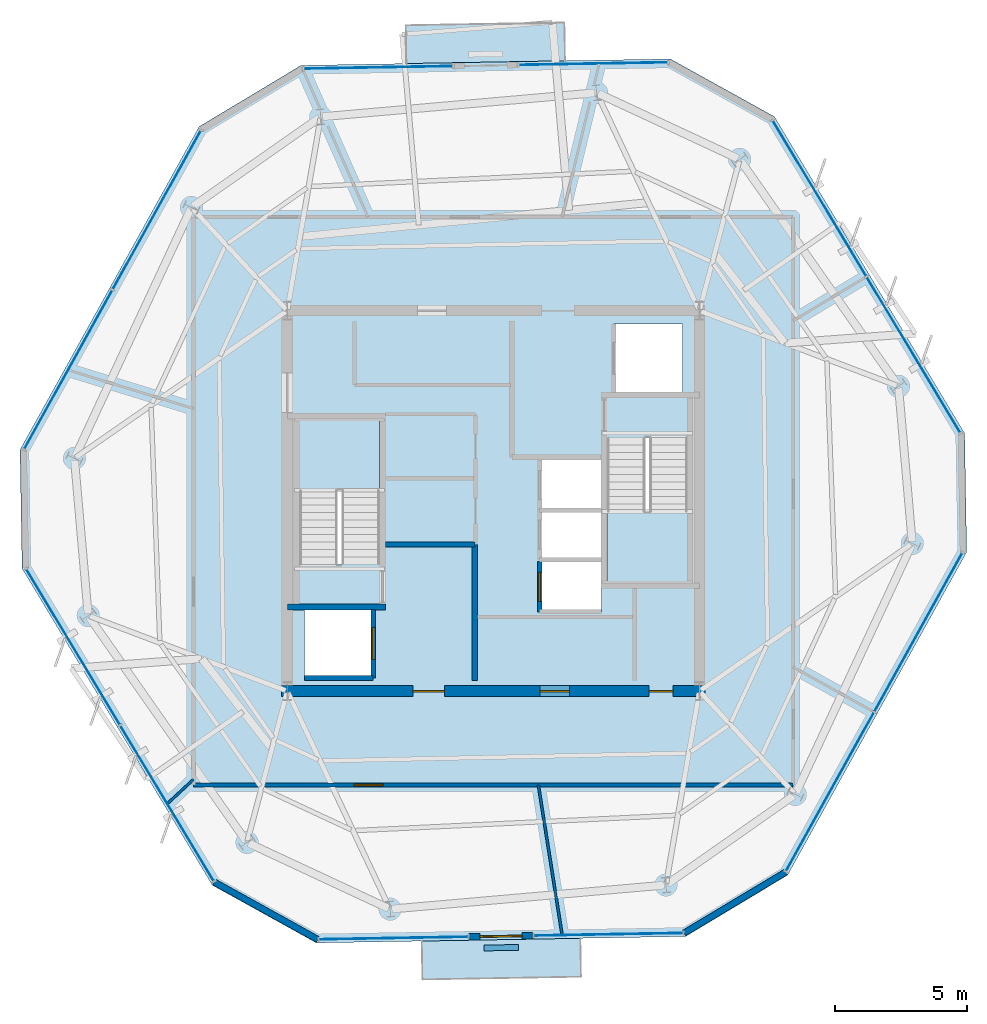
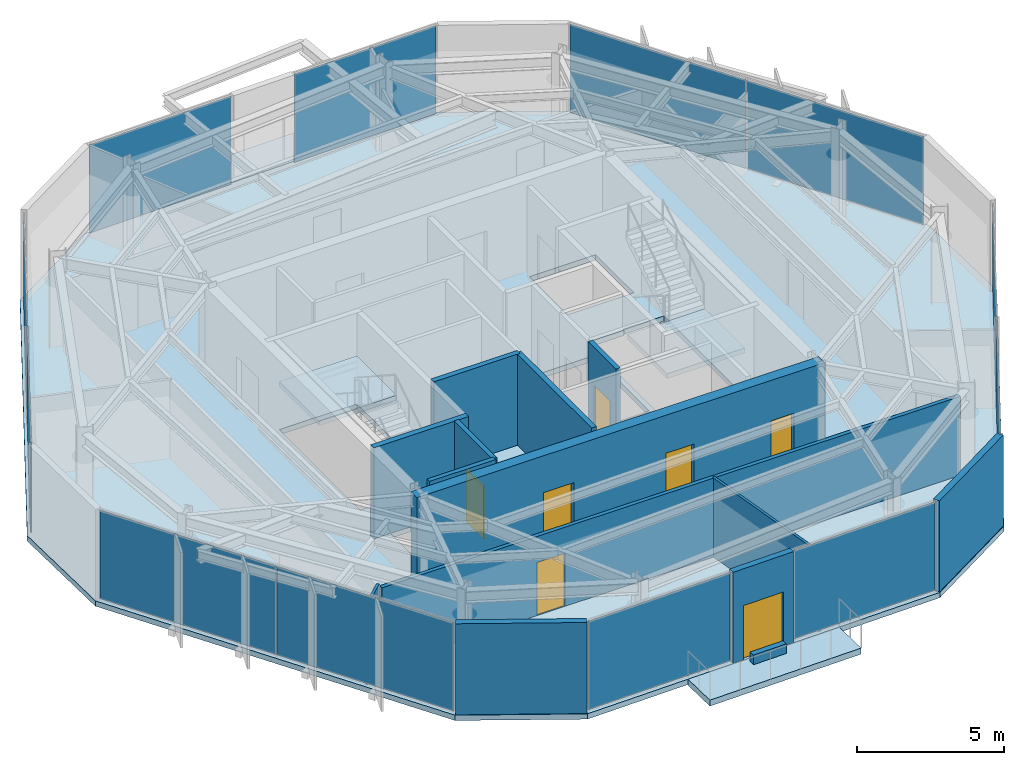
# One storey, part 6 of 12: 14 walls, 12 plates, 7 doors, 5 slabs, 7 openings, 10 elements without a shape of their own.
"""IFC4 building model written with IfcOpenShell, lengths in metres."""

from ifc_helpers import new_model, si_unit, direction, frame, frame_2d, origin, origin_2d, place, context, subcontext, project, spatial, polyline, rectangle, outline, extrude, material, layer, layer_set, type_object, element, fill, aggregate, save


model = new_model("IFC4")

# Units and contexts
model_context = context("Model", 3, precision=1e-05, world=origin(), true_north=direction((0.0, 1.0)))
body_context = subcontext(model_context, "Body", "Model", "MODEL_VIEW")
ifc_project = project(units=[si_unit("LENGTHUNIT", "METRE"), si_unit("AREAUNIT", "SQUARE_METRE"), si_unit("VOLUMEUNIT", "CUBIC_METRE"), si_unit("PLANEANGLEUNIT", "RADIAN"), si_unit("MASSUNIT", "GRAM", prefix="KILO")], contexts=[model_context])

# Site, building, storey
site_placement = place(None, origin())
site = spatial("IfcSite", under=ifc_project, at=site_placement, CompositionType="ELEMENT")
building_placement = place(site_placement, origin())
building = spatial("IfcBuilding", under=site, at=building_placement, Name="Kranzbogen Civic Tower", CompositionType="ELEMENT")
storey_placement = place(building_placement, frame((0.0, 0.0, 270.199951171875)))
storey = spatial("IfcBuildingStorey", under=building, at=storey_placement, Name="L65", CompositionType="ELEMENT", Elevation=270.199951171875)

# Slab
ifc_material_1 = material(Name="Concrete C40/50", Category="concrete")
ifc_layer_1 = layer(ifc_material_1, 0.219970703125, Name="Concrete C40/50")
ifc_layer_set_1 = layer_set([ifc_layer_1], Name="Concrete C40/50")
slab_type_1 = type_object("IfcSlabType", Name="Composite Upper Tower Floor Slab 220 mm", PredefinedType="FLOOR", material=ifc_layer_set_1)
slab_1_placement = place(storey_placement, frame((0.0, 0.0, -0.219970703125)))
element("IfcSlab", 1, at=slab_1_placement, inside=storey, type_object=slab_type_1, Name="L65 tower floor slab", PredefinedType="FLOOR", context=body_context, shape_type="SweptSolid", body=[
    extrude(outline(polyline([(31.699951171875, 41.72802734375), (17.719970703125, 41.48388671875), (13.863037109375, 39.166015625), (7.0849609375, 26.93798828125), (7.1630859375, 22.43798828125), (14.364013671875, 10.4541015625), (18.300048828125, 8.27197265625), (32.280029296875, 8.51611328125), (36.136962890625, 10.833984375), (42.9150390625, 23.06201171875), (42.8369140625, 27.56201171875), (35.635986328125, 39.5458984375), (31.699951171875, 41.72802734375)]), holes=[polyline([(17.85009765625, 20.89990234375), (20.449951171875, 20.89990234375), (20.449951171875, 18.300048828125), (17.85009765625, 18.300048828125), (17.85009765625, 20.89990234375)]), polyline([(29.10009765625, 22.699951171875), (29.10009765625, 20.800048828125), (26.75, 20.800048828125), (26.75, 22.699951171875), (29.10009765625, 22.699951171875)]), polyline([(29.10009765625, 24.64990234375), (29.10009765625, 22.77490234375), (26.75, 22.77490234375), (26.75, 24.64990234375), (26.75, 24.675048828125), (26.75, 26.550048828125), (29.10009765625, 26.550048828125), (29.10009765625, 24.675048828125), (29.10009765625, 24.64990234375)]), polyline([(29.300048828125, 27.340087890625), (30.75, 27.340087890625), (30.75, 27.39990234375), (32.35009765625, 27.39990234375), (32.35009765625, 21.89990234375), (29.300048828125, 21.89990234375), (29.300048828125, 27.340087890625)]), polyline([(20.699951171875, 22.659912109375), (19.25, 22.659912109375), (19.25, 22.60009765625), (17.64990234375, 22.60009765625), (17.64990234375, 28.10009765625), (20.699951171875, 28.10009765625), (20.699951171875, 22.659912109375)]), polyline([(32.14990234375, 31.699951171875), (32.14990234375, 29.10009765625), (29.550048828125, 29.10009765625), (29.550048828125, 31.699951171875), (32.14990234375, 31.699951171875)])]), origin(), (0.0, 0.0, 1.0), 0.219970703125),
])

# Curtain wall, plate
ifc_material_2 = material(Name="Pale Anodised Aluminium", Category="aluminium")
ifc_layer_2 = layer(ifc_material_2, 0.219970703125, Name="Pale Anodised Aluminium")
ifc_layer_set_2 = layer_set([ifc_layer_2], Name="Pale Anodised Aluminium")
curtain_wall_type = type_object("IfcCurtainWallType", Name="Zone 4 Stick Curtain Wall System CW-05", PredefinedType="USERDEFINED", material=ifc_layer_set_2)
curtain_wall_1_placement = place(storey_placement, origin())
curtain_wall_1 = element("IfcCurtainWall", 2, at=curtain_wall_1_placement, inside=storey, type_object=curtain_wall_type, Name="L65 curtain wall CW-L65-F1-S1", ObjectType="STICK CURTAIN WALL", PredefinedType="USERDEFINED")
ifc_material_3 = material(Name="Low-E Triple Glazing Glass", Category="glass")
ifc_layer_3 = layer(ifc_material_3, 0.028076171875, Name="Low-E Triple Glazing Glass")
ifc_layer_set_3 = layer_set([ifc_layer_3], Name="Low-E Triple Glazing Glass")
plate_type = type_object("IfcPlateType", Name="Insulated Low-E Glazing Panel 28 mm", PredefinedType="CURTAIN_PANEL", material=ifc_layer_set_3)
plate_1_placement = place(storey_placement, frame((28.780029296875, 41.548095703125, 0.06005859375), z_axis=(0.0, 0.0, 1.0), x_axis=(-0.999848066783, -0.017431102978, 0.0)))
plate_1 = element("IfcPlate", 3, at=plate_1_placement, type_object=plate_type, Name="CW-05 panel 1.1", PredefinedType="CURTAIN_PANEL", context=body_context, shape_type="SweptSolid", body=[
    extrude(rectangle(XDim=5.616943359375, YDim=0.028076171875, at=origin_2d()), origin(), (0.0, 0.0, 1.0), 3.659912109375),
])
aggregate(curtain_wall_1, [plate_1])

curtain_wall_2_placement = place(storey_placement, origin())
curtain_wall_2 = element("IfcCurtainWall", 4, at=curtain_wall_2_placement, inside=storey, type_object=curtain_wall_type, Name="L65 curtain wall CW-L65-F1-S2", ObjectType="STICK CURTAIN WALL", PredefinedType="USERDEFINED")
plate_2_placement = place(storey_placement, frame((20.64453125, 41.406005859375, 0.06005859375), z_axis=(0.0, 0.0, 1.0), x_axis=(-0.999848013805, -0.017434141484, 0.0)))
plate_2 = element("IfcPlate", 5, at=plate_2_placement, type_object=plate_type, Name="CW-05 panel 1.1", PredefinedType="CURTAIN_PANEL", context=body_context, shape_type="SweptSolid", body=[
    extrude(rectangle(XDim=5.615966796875, YDim=0.028076171875, at=origin_2d()), origin(), (0.0, 0.0, 1.0), 3.659912109375),
])
aggregate(curtain_wall_2, [plate_2])

# Curtain wall, plates
curtain_wall_3_placement = place(storey_placement, origin())
curtain_wall_3 = element("IfcCurtainWall", 6, at=curtain_wall_3_placement, inside=storey, type_object=curtain_wall_type, Name="L65 curtain wall CW-L65-F2", ObjectType="STICK CURTAIN WALL", PredefinedType="USERDEFINED")
plate_3_placement = place(storey_placement, frame((12.26123046875, 36.009521484375, 0.06005859375), z_axis=(0.0, 0.0, 1.0), x_axis=(-0.484840955853, -0.874602336795, 0.0)))
plate_3 = element("IfcPlate", 7, at=plate_3_placement, type_object=plate_type, Name="CW-05 panel 1.1", PredefinedType="CURTAIN_PANEL", context=body_context, shape_type="SweptSolid", body=[
    extrude(rectangle(XDim=6.84619140625, YDim=0.028076171875, at=origin_2d()), origin(), (0.0, 0.0, 1.0), 3.659912109375),
])
plate_4_placement = place(storey_placement, frame((8.912841796875, 29.969482421875, 0.06005859375), z_axis=(0.0, 0.0, 1.0), x_axis=(-0.484840955853, -0.874602336795, 0.0)))
plate_4 = element("IfcPlate", 8, at=plate_4_placement, type_object=plate_type, Name="CW-05 panel 2.1", PredefinedType="CURTAIN_PANEL", context=body_context, shape_type="SweptSolid", body=[
    extrude(rectangle(XDim=6.84619140625, YDim=0.028076171875, at=origin_2d()), origin(), (0.0, 0.0, 1.0), 3.659912109375),
])
aggregate(curtain_wall_3, [plate_3, plate_4])

curtain_wall_4_placement = place(storey_placement, origin())
curtain_wall_4 = element("IfcCurtainWall", 9, at=curtain_wall_4_placement, inside=storey, type_object=curtain_wall_type, Name="L65 curtain wall CW-L65-F3", ObjectType="STICK CURTAIN WALL", PredefinedType="USERDEFINED")
plate_5_placement = place(storey_placement, frame((9.095947265625, 19.472412109375, 0.06005859375), z_axis=(0.0, 0.0, 1.0), x_axis=(0.515046886883, -0.857162005873, 0.0)))
plate_5 = element("IfcPlate", 10, at=plate_5_placement, type_object=plate_type, Name="CW-05 panel 1.1", PredefinedType="CURTAIN_PANEL", context=body_context, shape_type="SweptSolid", body=[
    extrude(rectangle(XDim=6.84619140625, YDim=0.028076171875, at=origin_2d()), origin(), (0.0, 0.0, 1.0), 3.659912109375),
])
plate_6_placement = place(storey_placement, frame((12.653076171875, 13.552490234375, 0.06005859375), z_axis=(0.0, 0.0, 1.0), x_axis=(0.515046886883, -0.857162005873, 0.0)))
plate_6 = element("IfcPlate", 11, at=plate_6_placement, type_object=plate_type, Name="CW-05 panel 2.1", PredefinedType="CURTAIN_PANEL", context=body_context, shape_type="SweptSolid", body=[
    extrude(rectangle(XDim=6.84619140625, YDim=0.028076171875, at=origin_2d()), origin(), (0.0, 0.0, 1.0), 3.659912109375),
])
aggregate(curtain_wall_4, [plate_5, plate_6])

# Curtain wall, plate
curtain_wall_5_placement = place(storey_placement, origin())
curtain_wall_5 = element("IfcCurtainWall", 12, at=curtain_wall_5_placement, inside=storey, type_object=curtain_wall_type, Name="L65 curtain wall CW-L65-F4-S1", ObjectType="STICK CURTAIN WALL", PredefinedType="USERDEFINED")
plate_7_placement = place(storey_placement, frame((21.219970703125, 8.451904296875, 0.06005859375), z_axis=(0.0, 0.0, 1.0), x_axis=(0.999848066783, 0.017431102978, 0.0)))
plate_7 = element("IfcPlate", 13, at=plate_7_placement, type_object=plate_type, Name="CW-05 panel 1.1", PredefinedType="CURTAIN_PANEL", context=body_context, shape_type="SweptSolid", body=[
    extrude(rectangle(XDim=5.616943359375, YDim=0.028076171875, at=origin_2d()), origin(), (0.0, 0.0, 1.0), 3.659912109375),
])
aggregate(curtain_wall_5, [plate_7])

curtain_wall_6_placement = place(storey_placement, origin())
curtain_wall_6 = element("IfcCurtainWall", 14, at=curtain_wall_6_placement, inside=storey, type_object=curtain_wall_type, Name="L65 curtain wall CW-L65-F4-S2", ObjectType="STICK CURTAIN WALL", PredefinedType="USERDEFINED")
plate_8_placement = place(storey_placement, frame((29.35546875, 8.593994140625, 0.06005859375), z_axis=(0.0, 0.0, 1.0), x_axis=(0.999848013805, 0.017434141484, 0.0)))
plate_8 = element("IfcPlate", 15, at=plate_8_placement, type_object=plate_type, Name="CW-05 panel 1.1", PredefinedType="CURTAIN_PANEL", context=body_context, shape_type="SweptSolid", body=[
    extrude(rectangle(XDim=5.615966796875, YDim=0.028076171875, at=origin_2d()), origin(), (0.0, 0.0, 1.0), 3.659912109375),
])
aggregate(curtain_wall_6, [plate_8])

# Curtain wall, plates
curtain_wall_7_placement = place(storey_placement, origin())
curtain_wall_7 = element("IfcCurtainWall", 16, at=curtain_wall_7_placement, inside=storey, type_object=curtain_wall_type, Name="L65 curtain wall CW-L65-F5", ObjectType="STICK CURTAIN WALL", PredefinedType="USERDEFINED")
plate_9_placement = place(storey_placement, frame((37.73876953125, 13.990478515625, 0.06005859375), z_axis=(0.0, 0.0, 1.0), x_axis=(0.484840955853, 0.874602336795, 0.0)))
plate_9 = element("IfcPlate", 17, at=plate_9_placement, type_object=plate_type, Name="CW-05 panel 1.1", PredefinedType="CURTAIN_PANEL", context=body_context, shape_type="SweptSolid", body=[
    extrude(rectangle(XDim=6.84619140625, YDim=0.028076171875, at=origin_2d()), origin(), (0.0, 0.0, 1.0), 3.659912109375),
])
plate_10_placement = place(storey_placement, frame((41.087158203125, 20.030517578125, 0.06005859375), z_axis=(0.0, 0.0, 1.0), x_axis=(0.484840955853, 0.874602336795, 0.0)))
plate_10 = element("IfcPlate", 18, at=plate_10_placement, type_object=plate_type, Name="CW-05 panel 2.1", PredefinedType="CURTAIN_PANEL", context=body_context, shape_type="SweptSolid", body=[
    extrude(rectangle(XDim=6.84619140625, YDim=0.028076171875, at=origin_2d()), origin(), (0.0, 0.0, 1.0), 3.659912109375),
])
aggregate(curtain_wall_7, [plate_9, plate_10])

curtain_wall_8_placement = place(storey_placement, origin())
curtain_wall_8 = element("IfcCurtainWall", 19, at=curtain_wall_8_placement, inside=storey, type_object=curtain_wall_type, Name="L65 curtain wall CW-L65-F6", ObjectType="STICK CURTAIN WALL", PredefinedType="USERDEFINED")
plate_11_placement = place(storey_placement, frame((40.904052734375, 30.527587890625, 0.06005859375), z_axis=(0.0, 0.0, 1.0), x_axis=(-0.515046886883, 0.857162005873, 0.0)))
plate_11 = element("IfcPlate", 20, at=plate_11_placement, type_object=plate_type, Name="CW-05 panel 1.1", PredefinedType="CURTAIN_PANEL", context=body_context, shape_type="SweptSolid", body=[
    extrude(rectangle(XDim=6.84619140625, YDim=0.028076171875, at=origin_2d()), origin(), (0.0, 0.0, 1.0), 3.659912109375),
])
plate_12_placement = place(storey_placement, frame((37.346923828125, 36.447509765625, 0.06005859375), z_axis=(0.0, 0.0, 1.0), x_axis=(-0.515046886883, 0.857162005873, 0.0)))
plate_12 = element("IfcPlate", 21, at=plate_12_placement, type_object=plate_type, Name="CW-05 panel 2.1", PredefinedType="CURTAIN_PANEL", context=body_context, shape_type="SweptSolid", body=[
    extrude(rectangle(XDim=6.84619140625, YDim=0.028076171875, at=origin_2d()), origin(), (0.0, 0.0, 1.0), 3.659912109375),
])
aggregate(curtain_wall_8, [plate_11, plate_12])

# Stair, slab
ifc_material_4 = material(Name="Precast concrete C40/50", Category="concrete")
stair_type_1 = type_object("IfcStairType", Name="Tower Core Pressurized Dogleg Stair 1450", PredefinedType="HALF_TURN_STAIR", material=ifc_material_4)
stair_1_placement = place(storey_placement, origin())
stair_1 = element("IfcStair", 22, at=stair_1_placement, inside=storey, type_object=stair_type_1, Name="L65 Tower Core Pressurized Stair 1", PredefinedType="HALF_TURN_STAIR")
ifc_layer_4 = layer(ifc_material_4, 0.199951171875, Name="Precast concrete C40/50")
ifc_layer_set_4 = layer_set([ifc_layer_4], Name="Precast concrete C40/50")
slab_type_2 = type_object("IfcSlabType", Name="Precast Concrete Stair Landing Slab 200 mm", PredefinedType="LANDING", material=ifc_layer_set_4)
slab_2_placement = place(storey_placement, frame((0.0, 0.0, 1.800048828125)))
slab_2 = element("IfcSlab", 23, at=slab_2_placement, type_object=slab_type_2, Name="ST-T1 landing 1", PredefinedType="LANDING", context=body_context, shape_type="SweptSolid", body=[
    extrude(outline(polyline([(20.699951171875, 25.39990234375), (20.699951171875, 28.10009765625), (17.64990234375, 28.10009765625), (17.64990234375, 25.39990234375), (20.699951171875, 25.39990234375)])), origin(), (0.0, 0.0, 1.0), 0.199951171875),
])
aggregate(stair_1, [slab_2])

stair_type_2 = type_object("IfcStairType", Name="Tower Core Secondary Dogleg Stair 1450", PredefinedType="HALF_TURN_STAIR", material=ifc_material_4)
stair_2_placement = place(storey_placement, origin())
stair_2 = element("IfcStair", 24, at=stair_2_placement, inside=storey, type_object=stair_type_2, Name="L65 Tower Core Pressurized Stair 2", PredefinedType="HALF_TURN_STAIR")
slab_3_placement = place(storey_placement, frame((0.0, 0.0, 1.800048828125)))
slab_3 = element("IfcSlab", 25, at=slab_3_placement, type_object=slab_type_2, Name="ST-T2 landing 1", PredefinedType="LANDING", context=body_context, shape_type="SweptSolid", body=[
    extrude(outline(polyline([(29.300048828125, 24.60009765625), (29.300048828125, 21.89990234375), (32.35009765625, 21.89990234375), (32.35009765625, 24.60009765625), (29.300048828125, 24.60009765625)])), origin(), (0.0, 0.0, 1.0), 0.199951171875),
])
aggregate(stair_2, [slab_3])

# Slabs
ifc_layer_5 = layer(ifc_material_1, 0.25, Name="Concrete C40/50")
ifc_layer_set_5 = layer_set([ifc_layer_5], Name="Concrete C40/50")
slab_type_3 = type_object("IfcSlabType", Name="Tree Balcony Cantilevered Slab 250 mm", PredefinedType="FLOOR", material=ifc_layer_set_5)
slab_4_placement = place(storey_placement, frame((0.0, 0.0, -0.25)))
element("IfcSlab", 26, at=slab_4_placement, inside=storey, type_object=slab_type_3, Name="L65 cantilevered tree balcony L65-TB1", PredefinedType="FLOOR", context=body_context, shape_type="SweptSolid", body=[
    extrude(outline(polyline([(22.2900390625, 8.342041015625), (28.2890625, 8.446044921875), (28.31396484375, 6.99609375), (22.31494140625, 6.89208984375), (22.2900390625, 8.342041015625)])), origin(), (0.0, 0.0, 1.0), 0.25),
])
slab_5_placement = place(storey_placement, frame((0.0, 0.0, -0.25)))
element("IfcSlab", 27, at=slab_5_placement, inside=storey, type_object=slab_type_3, Name="L65 cantilevered tree balcony L65-TB2", PredefinedType="FLOOR", context=body_context, shape_type="SweptSolid", body=[
    extrude(outline(polyline([(27.7099609375, 41.657958984375), (21.7109375, 41.553955078125), (21.68603515625, 43.00390625), (27.68505859375, 43.10791015625), (27.7099609375, 41.657958984375)])), origin(), (0.0, 0.0, 1.0), 0.25),
])

# Wall, opening, door
ifc_material_5 = material(Name="Double-Stud Acoustic Gypsum Partition")
ifc_layer_6 = layer(ifc_material_5, 0.14990234375, Name="Double-Stud Acoustic Gypsum Partition")
ifc_layer_set_6 = layer_set([ifc_layer_6], Name="Double-Stud Acoustic Gypsum Partition")
wall_type_1 = type_object("IfcWallType", Name="Acoustic Corridor and Clinical Partition 150 mm", PredefinedType="PARTITIONING", material=ifc_layer_set_6)
wall_1_placement = place(storey_placement, frame((36.35009765625, 14.25, 0.0), z_axis=(0.0, 0.0, 1.0), x_axis=(-1.0, 0.0, 0.0)))
wall_1 = element("IfcWall", 28, at=wall_1_placement, inside=storey, type_object=wall_type_1, Name="L65 corridor partition 03", PredefinedType="PARTITIONING", context=body_context, shape_type="SweptSolid", body=[
    extrude(rectangle(XDim=22.7001953125, YDim=0.14990234375, at=frame_2d((11.35009765625, 0.0))), origin(), (0.0, 0.0, 1.0), 3.280029296875),
])
opening_1_placement = place(wall_1_placement, frame((15.52490234375, 0.0, 0.0)))
opening_1 = element("IfcOpeningElement", 29, at=opening_1_placement, cuts=wall_1, Name="Opening D-COR60", PredefinedType="OPENING", context=body_context, shape_type="SweptSolid", body=[
    extrude(rectangle(XDim=1.10009765625, YDim=2.199951171875, at=frame_2d((0.550048828125, 1.10009765625))), frame((0.0, 0.0849609375, 0.0), z_axis=(0.0, -1.0, 0.0), x_axis=(1.0, 0.0, 0.0)), (0.0, 0.0, 1.0), 0.169921875),
])
ifc_material_6 = material(Name="Oak Timber and Fire Core", Category="wood")
door_type_1 = type_object("IfcDoorType", Name="Corridor Acoustic Fire Door 1100x2200", OperationType="NOTDEFINED", PredefinedType="DOOR", material=ifc_material_6)
door_1_placement = place(opening_1_placement, origin())
door_1 = element("IfcDoor", 30, at=door_1_placement, inside=storey, type_object=door_type_1, Name="L65 Central Mail Post Room door", OperationType="SINGLE_SWING_LEFT", OverallHeight=2.199951171875, OverallWidth=1.10009765625, PredefinedType="DOOR", context=body_context, shape_type="SweptSolid", body=[
    extrude(rectangle(XDim=1.10009765625, YDim=2.199951171875, at=frame_2d((0.550048828125, 1.10009765625))), frame((0.0, 0.02490234375, 0.0), z_axis=(0.0, -1.0, 0.0), x_axis=(1.0, 0.0, 0.0)), (0.0, 0.0, 1.0), 0.050048828125),
])
fill(opening_1, door_1)

# Wall
ifc_material_7 = material(Name="Architectural Precast Terracotta Concrete C40/50", Category="masonry")
ifc_layer_7 = layer(ifc_material_7, 0.219970703125, Name="Architectural Precast Terracotta Concrete C40/50")
ifc_layer_set_7 = layer_set([ifc_layer_7], Name="Architectural Precast Terracotta Concrete C40/50")
wall_type_2 = type_object("IfcWallType", Name="Architectural Tree Planter Kerb Wall 220 mm", PredefinedType="USERDEFINED", material=ifc_layer_set_7)
wall_2_placement = place(storey_placement, frame((24.64501953125, 8.0791015625, 0.0), z_axis=(0.0, 0.0, 1.0), x_axis=(0.999857201789, 0.01689899496, 0.0)))
element("IfcWall", 31, at=wall_2_placement, inside=storey, type_object=wall_type_2, Name="L65 landscaped tree balcony planter L65-TB1", ObjectType="PLANTER_WALL", PredefinedType="USERDEFINED", context=body_context, shape_type="SweptSolid", body=[
    extrude(rectangle(XDim=1.30029296875, YDim=0.219970703125, at=frame_2d((0.650146484375, 0.0))), origin(), (0.0, 0.0, 1.0), 0.400146484375),
])

# Wall, openings, doors
ifc_material_8 = material(Name="Concrete C45/55", Category="concrete")
ifc_layer_8 = layer(ifc_material_8, 0.419921875, Name="Concrete C45/55")
ifc_layer_set_8 = layer_set([ifc_layer_8], Name="Concrete C45/55")
wall_type_3 = type_object("IfcWallType", Name="Central Core Shear Wall 420 mm", PredefinedType="SHEAR", material=ifc_layer_set_8)
wall_3_placement = place(storey_placement, frame((16.989990234375, 17.800048828125, 0.0), z_axis=(0.0, 0.0, 1.0), x_axis=(1.0, 0.0, 0.0)))
wall_3 = element("IfcWall", 32, at=wall_3_placement, inside=storey, type_object=wall_type_3, Name="L65 central core South shear wall", PredefinedType="SHEAR", context=body_context, shape_type="SweptSolid", body=[
    extrude(rectangle(XDim=16.02001953125, YDim=0.419921875, at=frame_2d((8.010009765625, 0.0))), origin(), (0.0, 0.0, 1.0), 3.780029296875),
])
opening_2_placement = place(wall_3_placement, frame((4.9599609375, 0.0, 0.0)))
opening_2 = element("IfcOpeningElement", 33, at=opening_2_placement, cuts=wall_3, Name="Opening D-EX120", PredefinedType="OPENING", context=body_context, shape_type="SweptSolid", body=[
    extrude(rectangle(XDim=1.199951171875, YDim=2.25, at=frame_2d((0.60009765625, 1.125))), frame((0.0, 0.219970703125, 0.0), z_axis=(0.0, -1.0, 0.0), x_axis=(1.0, 0.0, 0.0)), (0.0, 0.0, 1.0), 0.43994140625),
])
opening_3_placement = place(wall_3_placement, frame((13.909912109375, 0.0, 0.0)))
opening_3 = element("IfcOpeningElement", 34, at=opening_3_placement, cuts=wall_3, Name="Opening D-WC90", PredefinedType="OPENING", context=body_context, shape_type="SweptSolid", body=[
    extrude(rectangle(XDim=0.89990234375, YDim=2.10009765625, at=frame_2d((0.449951171875, 1.050048828125))), frame((0.0, 0.219970703125, 0.0), z_axis=(0.0, -1.0, 0.0), x_axis=(1.0, 0.0, 0.0)), (0.0, 0.0, 1.0), 0.43994140625),
])
opening_4_placement = place(wall_3_placement, frame((9.784912109375, 0.0, 0.0)))
opening_4 = element("IfcOpeningElement", 35, at=opening_4_placement, cuts=wall_3, Name="Opening D-COR60", PredefinedType="OPENING", context=body_context, shape_type="SweptSolid", body=[
    extrude(rectangle(XDim=1.10009765625, YDim=2.199951171875, at=frame_2d((0.550048828125, 1.10009765625))), frame((0.0, 0.219970703125, 0.0), z_axis=(0.0, -1.0, 0.0), x_axis=(1.0, 0.0, 0.0)), (0.0, 0.0, 1.0), 0.43994140625),
])
door_2_placement = place(opening_4_placement, origin())
door_2 = element("IfcDoor", 36, at=door_2_placement, inside=storey, type_object=door_type_1, Name="L65 REC1 archive room door", OperationType="SINGLE_SWING_RIGHT", OverallHeight=2.199951171875, OverallWidth=1.10009765625, PredefinedType="DOOR", context=body_context, shape_type="SweptSolid", body=[
    extrude(rectangle(XDim=1.10009765625, YDim=2.199951171875, at=frame_2d((0.550048828125, 1.10009765625))), frame((0.0, 0.02490234375, 0.0), z_axis=(0.0, -1.0, 0.0), x_axis=(1.0, 0.0, 0.0)), (0.0, 0.0, 1.0), 0.050048828125),
])
fill(opening_4, door_2)
ifc_material_9 = material(Name="Steel S355", Category="steel")
door_type_2 = type_object("IfcDoorType", Name="Exit Passageway Fire Door 1200x2250", OperationType="NOTDEFINED", PredefinedType="DOOR", material=ifc_material_9)
door_3_placement = place(opening_2_placement, origin())
door_3 = element("IfcDoor", 37, at=door_3_placement, inside=storey, type_object=door_type_2, Name="L65 West firefighting lobby corridor door", OperationType="SINGLE_SWING_LEFT", OverallHeight=2.25, OverallWidth=1.199951171875, PredefinedType="DOOR", context=body_context, shape_type="SweptSolid", body=[
    extrude(rectangle(XDim=1.199951171875, YDim=2.25, at=frame_2d((0.60009765625, 1.125))), frame((0.0, 0.02490234375, 0.0), z_axis=(0.0, -1.0, 0.0), x_axis=(1.0, 0.0, 0.0)), (0.0, 0.0, 1.0), 0.050048828125),
])
fill(opening_2, door_3)
ifc_material_10 = material(Name="Moisture-Resistant Laminate")
door_type_3 = type_object("IfcDoorType", Name="Standard Restroom and Store Door 900x2100", OperationType="NOTDEFINED", PredefinedType="DOOR", material=ifc_material_10)
door_4_placement = place(opening_3_placement, origin())
door_4 = element("IfcDoor", 38, at=door_4_placement, inside=storey, type_object=door_type_3, Name="L65 East electrical riser access door", OperationType="SINGLE_SWING_LEFT", OverallHeight=2.10009765625, OverallWidth=0.89990234375, PredefinedType="DOOR", context=body_context, shape_type="SweptSolid", body=[
    extrude(rectangle(XDim=0.89990234375, YDim=2.10009765625, at=frame_2d((0.449951171875, 1.050048828125))), frame((0.0, 0.02490234375, 0.0), z_axis=(0.0, -1.0, 0.0), x_axis=(1.0, 0.0, 0.0)), (0.0, 0.0, 1.0), 0.050048828125),
])
fill(opening_3, door_4)

# Walls
ifc_layer_9 = layer(ifc_material_8, 0.219970703125, Name="Concrete C45/55")
ifc_layer_set_9 = layer_set([ifc_layer_9], Name="Concrete C45/55")
wall_type_4 = type_object("IfcWallType", Name="Core Internal Stair Structural Wall 220 mm", PredefinedType="SOLIDWALL", material=ifc_layer_set_9)
wall_4_placement = place(storey_placement, frame((17.199951171875, 20.989990234375, 0.0), z_axis=(0.0, 0.0, 1.0), x_axis=(1.0, 0.0, 0.0)))
element("IfcWall", 39, at=wall_4_placement, inside=storey, type_object=wall_type_4, Name="L65 ST-T1 South structural stair wall", PredefinedType="SOLIDWALL", context=body_context, shape_type="SweptSolid", body=[
    extrude(rectangle(XDim=3.719970703125, YDim=0.219970703125, at=frame_2d((1.85986328125, 0.0))), origin(), (0.0, 0.0, 1.0), 3.780029296875),
])
ifc_material_11 = material(Name="Demountable Aluminium and Gypsum Partition", Category="aluminium")
ifc_layer_10 = layer(ifc_material_11, 0.10009765625, Name="Demountable Aluminium and Gypsum Partition")
ifc_layer_set_10 = layer_set([ifc_layer_10], Name="Demountable Aluminium and Gypsum Partition")
wall_type_5 = type_object("IfcWallType", Name="Demountable Office Partition 100 mm", PredefinedType="MOVABLE", material=ifc_layer_set_10)
wall_5_placement = place(storey_placement, frame((13.64990234375, 14.458984375, 0.0), z_axis=(0.0, 0.0, 1.0), x_axis=(-0.732786974923, -0.680458117288, 0.0)))
element("IfcWall", 40, at=wall_5_placement, inside=storey, type_object=wall_type_5, Name="L65 radial room partition 03", PredefinedType="MOVABLE", context=body_context, shape_type="SweptSolid", body=[
    extrude(rectangle(XDim=1.334228515625, YDim=0.10009765625, at=frame_2d((0.6669921875, 0.0))), origin(), (0.0, 0.0, 1.0), 3.280029296875),
])
wall_6_placement = place(storey_placement, frame((26.702880859375, 14.25, 0.0), z_axis=(0.0, 0.0, 1.0), x_axis=(0.156602299035, -0.987661743684, 0.0)))
element("IfcWall", 41, at=wall_6_placement, inside=storey, type_object=wall_type_5, Name="L65 radial room partition 04", PredefinedType="MOVABLE", context=body_context, shape_type="SweptSolid", body=[
    extrude(rectangle(XDim=5.74169921875, YDim=0.10009765625, at=frame_2d((2.870849609375, 0.0))), origin(), (0.0, 0.0, 1.0), 3.280029296875),
])
ifc_material_12 = material(Name="Gypsum Fireboard and Concrete Block", Category="concrete")
ifc_layer_11 = layer(ifc_material_12, 0.199951171875, Name="Gypsum Fireboard and Concrete Block")
ifc_layer_set_11 = layer_set([ifc_layer_11], Name="Gypsum Fireboard and Concrete Block")
wall_type_6 = type_object("IfcWallType", Name="Fire-Rated Exit Passageway and Stair Wall 200 mm", PredefinedType="PARTITIONING", material=ifc_layer_set_11)
wall_7_placement = place(storey_placement, frame((24.300048828125, 18.199951171875, 0.0), z_axis=(0.0, 0.0, 1.0), x_axis=(0.0, 1.0, 0.0)))
element("IfcWall", 42, at=wall_7_placement, inside=storey, type_object=wall_type_6, Name="L65 West firefighting lobby East wall", PredefinedType="PARTITIONING", context=body_context, shape_type="SweptSolid", body=[
    extrude(rectangle(XDim=5.150146484375, YDim=0.199951171875, at=frame_2d((2.5751953125, 0.0))), origin(), (0.0, 0.0, 1.0), 3.780029296875),
])
wall_8_placement = place(storey_placement, frame((20.919921875, 23.35009765625, 0.0), z_axis=(0.0, 0.0, 1.0), x_axis=(1.0, 0.0, 0.0)))
element("IfcWall", 43, at=wall_8_placement, inside=storey, type_object=wall_type_6, Name="L65 West firefighting lobby North wall", PredefinedType="PARTITIONING", context=body_context, shape_type="SweptSolid", body=[
    extrude(rectangle(XDim=3.380126953125, YDim=0.199951171875, at=frame_2d((1.68994140625, 0.0))), origin(), (0.0, 0.0, 1.0), 3.780029296875),
])

# Wall, opening, door
ifc_material_13 = material(Name="Gypsum Fireboard Shaftliner")
ifc_layer_12 = layer(ifc_material_13, 0.175048828125, Name="Gypsum Fireboard Shaftliner")
ifc_layer_set_12 = layer_set([ifc_layer_12], Name="Gypsum Fireboard Shaftliner")
wall_type_7 = type_object("IfcWallType", Name="Fire-Rated Lift and Service Shaft Wall 175 mm", PredefinedType="PARTITIONING", material=ifc_layer_set_12)
wall_9_placement = place(storey_placement, frame((26.75, 20.800048828125, 0.0), z_axis=(0.0, 0.0, 1.0), x_axis=(0.0, 1.0, 0.0)))
wall_9 = element("IfcWall", 44, at=wall_9_placement, inside=storey, type_object=wall_type_7, Name="L65 lift HP-01 landing wall", PredefinedType="PARTITIONING", context=body_context, shape_type="SweptSolid", body=[
    extrude(rectangle(XDim=1.89990234375, YDim=0.175048828125, at=frame_2d((0.949951171875, 0.0))), origin(), (0.0, 0.0, 1.0), 3.780029296875),
])
opening_5_placement = place(wall_9_placement, frame((0.39990234375, 0.0, 0.0)))
opening_5 = element("IfcOpeningElement", 45, at=opening_5_placement, cuts=wall_9, Name="Opening LD-HP-01", PredefinedType="OPENING", context=body_context, shape_type="SweptSolid", body=[
    extrude(rectangle(XDim=1.10009765625, YDim=2.199951171875, at=frame_2d((0.550048828125, 1.10009765625))), frame((0.0, 0.09765625, 0.0), z_axis=(0.0, -1.0, 0.0), x_axis=(1.0, 0.0, 0.0)), (0.0, 0.0, 1.0), 0.195068359375),
])
door_type_4 = type_object("IfcDoorType", Name="Passenger Lift Sliding Landing Door 1100x2200", OperationType="DOUBLE_DOOR_SLIDING", PredefinedType="DOOR", material=ifc_material_2)
door_5_placement = place(opening_5_placement, origin())
door_5 = element("IfcDoor", 46, at=door_5_placement, inside=storey, type_object=door_type_4, Name="L65 lift HP-01 sliding landing door", OperationType="DOUBLE_DOOR_SLIDING", OverallHeight=2.199951171875, OverallWidth=1.10009765625, PredefinedType="DOOR", context=body_context, shape_type="SweptSolid", body=[
    extrude(rectangle(XDim=1.10009765625, YDim=2.199951171875, at=frame_2d((0.550048828125, 1.10009765625))), frame((0.0, 0.02490234375, 0.0), z_axis=(0.0, -1.0, 0.0), x_axis=(1.0, 0.0, 0.0)), (0.0, 0.0, 1.0), 0.050048828125),
])
fill(opening_5, door_5)

wall_10_placement = place(storey_placement, frame((20.449951171875, 18.300048828125, 0.0), z_axis=(0.0, 0.0, 1.0), x_axis=(0.0, 1.0, 0.0)))
wall_10 = element("IfcWall", 47, at=wall_10_placement, inside=storey, type_object=wall_type_7, Name="L65 lift FF-01 landing wall", PredefinedType="PARTITIONING", context=body_context, shape_type="SweptSolid", body=[
    extrude(rectangle(XDim=2.599853515625, YDim=0.175048828125, at=frame_2d((1.2998046875, 0.0))), origin(), (0.0, 0.0, 1.0), 3.780029296875),
])
opening_6_placement = place(wall_10_placement, frame((0.699951171875, 0.0, 0.0)))
opening_6 = element("IfcOpeningElement", 48, at=opening_6_placement, cuts=wall_10, Name="Opening LD-FF-01", PredefinedType="OPENING", context=body_context, shape_type="SweptSolid", body=[
    extrude(rectangle(XDim=1.199951171875, YDim=2.199951171875, at=frame_2d((0.60009765625, 1.10009765625))), frame((0.0, 0.09765625, 0.0), z_axis=(0.0, -1.0, 0.0), x_axis=(1.0, 0.0, 0.0)), (0.0, 0.0, 1.0), 0.195068359375),
])
door_type_5 = type_object("IfcDoorType", Name="Firefighting and Stretcher Lift Sliding Landing Door 1200x2200", OperationType="DOUBLE_DOOR_SLIDING", PredefinedType="DOOR", material=ifc_material_2)
door_6_placement = place(opening_6_placement, origin())
door_6 = element("IfcDoor", 49, at=door_6_placement, inside=storey, type_object=door_type_5, Name="L65 lift FF-01 sliding landing door", OperationType="DOUBLE_DOOR_SLIDING", OverallHeight=2.199951171875, OverallWidth=1.199951171875, PredefinedType="DOOR", context=body_context, shape_type="SweptSolid", body=[
    extrude(rectangle(XDim=1.199951171875, YDim=2.199951171875, at=frame_2d((0.60009765625, 1.10009765625))), frame((0.0, 0.02490234375, 0.0), z_axis=(0.0, -1.0, 0.0), x_axis=(1.0, 0.0, 0.0)), (0.0, 0.0, 1.0), 0.050048828125),
])
fill(opening_6, door_6)

# Walls
wall_11_placement = place(storey_placement, frame((17.85009765625, 18.300048828125, 0.0), z_axis=(0.0, 0.0, 1.0), x_axis=(1.0, 0.0, 0.0)))
element("IfcWall", 50, at=wall_11_placement, inside=storey, type_object=wall_type_7, Name="L65 lift FF-01 side wall", PredefinedType="PARTITIONING", context=body_context, shape_type="SweptSolid", body=[
    extrude(rectangle(XDim=2.599853515625, YDim=0.175048828125, at=frame_2d((1.2998046875, 0.0))), origin(), (0.0, 0.0, 1.0), 3.780029296875),
])
ifc_layer_13 = layer(ifc_material_2, 0.239990234375, Name="Pale Anodised Aluminium")
ifc_layer_set_13 = layer_set([ifc_layer_13], Name="Pale Anodised Aluminium")
wall_type_8 = type_object("IfcWallType", Name="Insulated Aluminium Facade Portal Wall 240 mm", PredefinedType="STANDARD", material=ifc_layer_set_13)
wall_12_placement = place(storey_placement, frame((14.447021484375, 10.56689453125, 0.0), z_axis=(0.0, 0.0, 1.0), x_axis=(0.874600538514, -0.48484419975, 0.0)))
element("IfcWall", 51, at=wall_12_placement, inside=storey, type_object=wall_type_8, Name="L65 chamfered corner facade spandrel 3", PredefinedType="STANDARD", context=body_context, shape_type="SweptSolid", body=[
    extrude(rectangle(XDim=4.46484375, YDim=0.239990234375, at=frame_2d((2.232421875, 0.0))), origin(), (0.0, 0.0, 1.0), 3.780029296875),
])

# Wall, opening, door
wall_13_placement = place(storey_placement, frame((24.087890625, 8.501953125, 0.0), z_axis=(0.0, 0.0, 1.0), x_axis=(0.999846985771, 0.017492999853, 0.0)))
wall_13 = element("IfcWall", 52, at=wall_13_placement, inside=storey, type_object=wall_type_8, Name="L65 exterior entrance portal wall 1", PredefinedType="STANDARD", context=body_context, shape_type="SweptSolid", body=[
    extrude(rectangle(XDim=2.400634765625, YDim=0.239990234375, at=frame_2d((1.2001953125, 0.0))), origin(), (0.0, 0.0, 1.0), 3.780029296875),
])
opening_7_placement = place(wall_13_placement, frame((0.39990234375, 0.0, 0.0)))
opening_7 = element("IfcOpeningElement", 53, at=opening_7_placement, cuts=wall_13, Name="Opening D-TER", PredefinedType="OPENING", context=body_context, shape_type="SweptSolid", body=[
    extrude(rectangle(XDim=1.60009765625, YDim=2.25, at=frame_2d((0.800048828125, 1.125))), frame((0.0, 0.1298828125, 0.0), z_axis=(0.0, -1.0, 0.0), x_axis=(1.0, 0.0, 0.0)), (0.0, 0.0, 1.0), 0.260009765625),
])
ifc_material_14 = material(Name="Anodised Bronze and Triple Glass", Category="glass")
door_type_6 = type_object("IfcDoorType", Name="Glazed Terrace and Balcony Double Door 1600x2250", OperationType="DOUBLE_DOOR_SINGLE_SWING", PredefinedType="DOOR", material=ifc_material_14)
door_7_placement = place(opening_7_placement, frame((1.60009765625, 0.0, 0.0), z_axis=(0.0, 0.0, 1.0), x_axis=(-1.0, 0.0, 0.0)))
door_7 = element("IfcDoor", 54, at=door_7_placement, inside=storey, type_object=door_type_6, Name="L65 tree balcony access door L65-TB1", OperationType="DOUBLE_DOOR_SINGLE_SWING", OverallHeight=2.25, OverallWidth=1.60009765625, PredefinedType="DOOR", context=body_context, shape_type="SweptSolid", body=[
    extrude(rectangle(XDim=1.60009765625, YDim=2.25, at=frame_2d((0.800048828125, 1.125))), frame((0.0, 0.02490234375, 0.0), z_axis=(0.0, -1.0, 0.0), x_axis=(1.0, 0.0, 0.0)), (0.0, 0.0, 1.0), 0.050048828125),
])
fill(opening_7, door_7)

# Wall
wall_14_placement = place(storey_placement, frame((32.222900390625, 8.64404296875, 0.0), z_axis=(0.0, 0.0, 1.0), x_axis=(0.857121218243, 0.515114761231, 0.0)))
element("IfcWall", 55, at=wall_14_placement, inside=storey, type_object=wall_type_8, Name="L65 chamfered corner facade spandrel 4", PredefinedType="STANDARD", context=body_context, shape_type="SweptSolid", body=[
    extrude(rectangle(XDim=4.465087890625, YDim=0.239990234375, at=frame_2d((2.232421875, 0.0))), origin(), (0.0, 0.0, 1.0), 3.780029296875),
])

save(model, "model.ifc")
